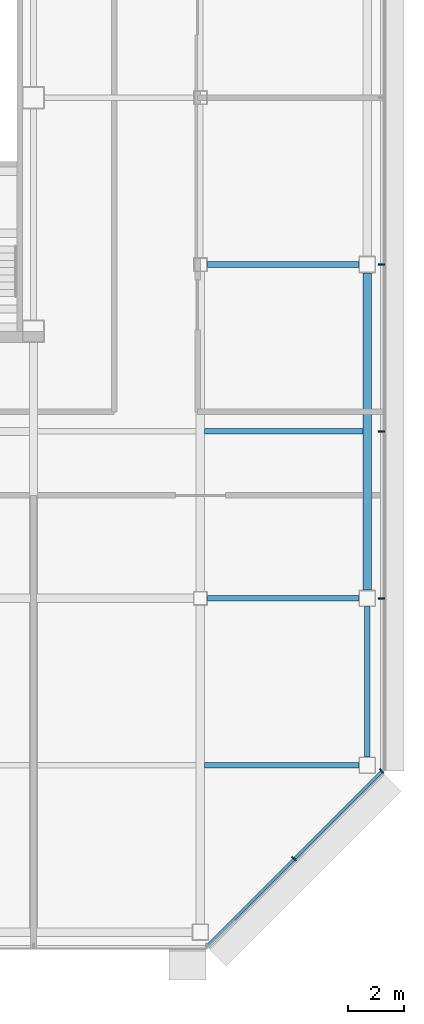
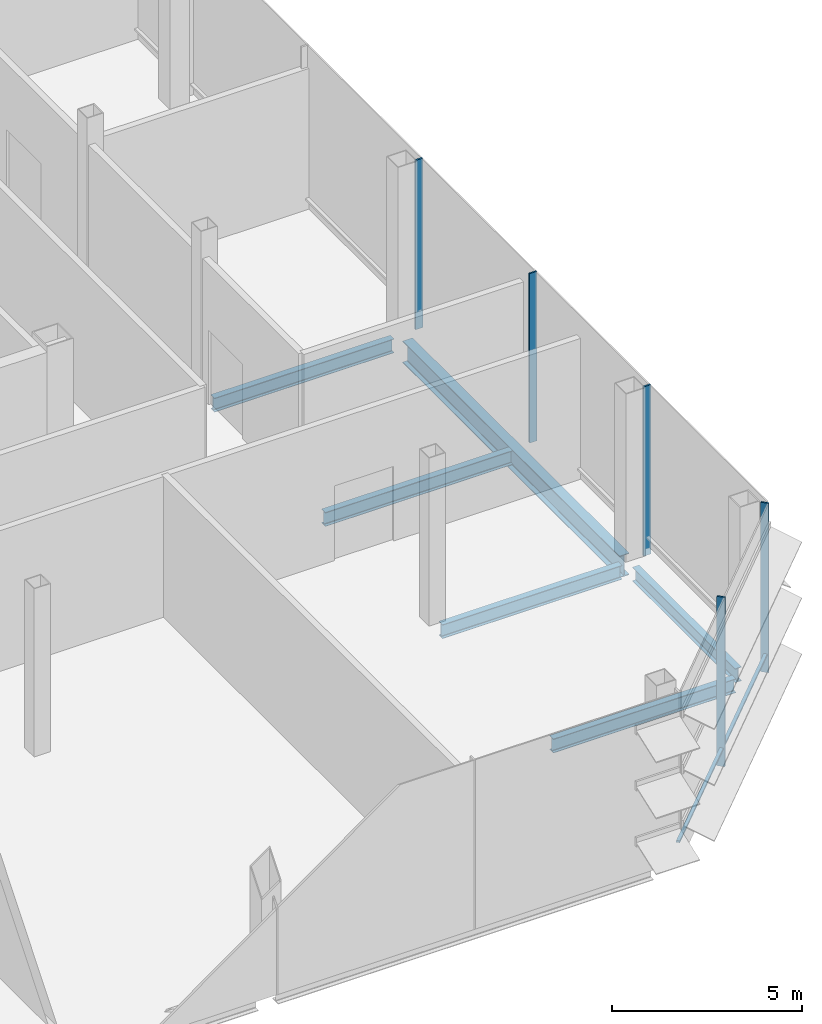
# One storey, part 15 of 26: 6 beams, 6 members, 2 elements without a shape of their own.
"""IFC4 building model written with IfcOpenShell, lengths in metres."""

import ifcopenshell
import ifcopenshell.guid

model = None  # the IFC model being written
_history = None  # IfcOwnerHistory: only IFC2X3 demands one
_inside = {}  # id of a spatial element -> (the spatial element, [elements in it])
_under = {}  # id of a project, library or spatial element -> (it, [spatial elements below it])
_declared = {}  # id of a project -> (the project, [libraries it declares])
_typed = {}  # id of a type object -> (the type object, [elements of that type])
_made_of = {}  # id of a material, layer set ... -> (it, [elements and type objects made of it])


def new_model(schema):
    """Start an empty IFC model of exactly this schema.

    Asked for "IFC4X3", IfcOpenShell would pick the latest addendum, in which some entities
    have other attributes; the version numbers below select the first issue.
    IFC2X3 requires an IfcOwnerHistory on every rooted entity: one is made here for all.
    """
    global model, _history
    if schema == "IFC4X3":
        model = ifcopenshell.file(schema_version=(4, 3, 0, 0))
    else:
        model = ifcopenshell.file(schema=schema)
    _inside.clear()
    _under.clear()
    _declared.clear()
    _typed.clear()
    _made_of.clear()
    _history = None
    if model.schema == "IFC2X3":
        org = make("IfcOrganization", Name="unknown")
        user = make(
            "IfcPersonAndOrganization",
            ThePerson=make("IfcPerson", FamilyName="unknown"),
            TheOrganization=org,
        )
        app = make(
            "IfcApplication",
            ApplicationDeveloper=org,
            Version="unknown",
            ApplicationFullName="unknown",
            ApplicationIdentifier="unknown",
        )
        _history = make(
            "IfcOwnerHistory",
            OwningUser=user,
            OwningApplication=app,
            ChangeAction="ADDED",
            CreationDate=0,
        )
    return model


def make(cls, **values):
    """One entity of the class cls with the attributes given. An attribute that is None is left unset."""
    return model.create_entity(
        cls, **{name: value for name, value in values.items() if value is not None}
    )


def rooted(cls, **values):
    """An entity with a GlobalId (a new one), such as an element, a storey or a relation."""
    return make(cls, GlobalId=ifcopenshell.guid.new(), OwnerHistory=_history, **values)


def si_unit(unit_type, name, prefix=None):
    """IfcSIUnit, for example si_unit("LENGTHUNIT", "METRE", prefix="MILLI")."""
    return make("IfcSIUnit", UnitType=unit_type, Prefix=prefix, Name=name)


def assignment(units):
    """IfcUnitAssignment: the units of a project."""
    return None if units is None else make("IfcUnitAssignment", Units=units)


def point(xyz):
    """IfcCartesianPoint."""
    return None if xyz is None else make("IfcCartesianPoint", Coordinates=xyz)


def direction(xyz):
    """IfcDirection."""
    return None if xyz is None else make("IfcDirection", DirectionRatios=xyz)


def frame(location, z_axis=None, x_axis=None):
    """IfcAxis2Placement3D, a coordinate frame: its origin and axes. An axis left out is left unset."""
    return make(
        "IfcAxis2Placement3D",
        Location=point(location),
        Axis=direction(z_axis),
        RefDirection=direction(x_axis),
    )


def frame_2d(location, x_axis=None):
    """IfcAxis2Placement2D, a coordinate frame in the plane: its origin and x axis."""
    return make(
        "IfcAxis2Placement2D", Location=point(location), RefDirection=direction(x_axis)
    )


def origin():
    """The frame at (0, 0, 0) with its axes left unset."""
    return frame((0.0, 0.0, 0.0))


def origin_2d():
    """The frame at (0, 0) in the plane with its x axis left unset."""
    return frame_2d((0.0, 0.0))


def place(relative_to, where):
    """IfcLocalPlacement: puts the frame where relative to a parent placement (None: the world)."""
    return make(
        "IfcLocalPlacement", PlacementRelTo=relative_to, RelativePlacement=where
    )


def context(
    kind, dimensions, precision=None, world=None, true_north=None, identifier=None
):
    """IfcGeometricRepresentationContext, for example the 3D "Model" context."""
    return make(
        "IfcGeometricRepresentationContext",
        ContextIdentifier=identifier,
        ContextType=kind,
        CoordinateSpaceDimension=dimensions,
        Precision=precision,
        WorldCoordinateSystem=world,
        TrueNorth=true_north,
    )


def subcontext(parent, identifier, kind, view, scale=None):
    """IfcGeometricRepresentationSubContext, for example "Body" below "Model"."""
    return make(
        "IfcGeometricRepresentationSubContext",
        ContextIdentifier=identifier,
        ContextType=kind,
        ParentContext=parent,
        TargetScale=scale,
        TargetView=view,
    )


def project(units=None, contexts=None):
    """IfcProject with its units and contexts."""
    return rooted(
        "IfcProject",
        Name="project",
        RepresentationContexts=contexts,
        UnitsInContext=assignment(units),
    )


def spatial(cls, under=None, at=None, **own):
    """A site, building, storey or space (cls), placed at a placement, below another one or the project."""
    s = rooted(cls, ObjectPlacement=at, **own)
    if under is not None:
        _under.setdefault(under.id(), (under, []))[1].append(s)
    return s


def profile(cls, at=None, kind="AREA", **sizes):
    """A parametric profile (cls). Its sizes go by their IFC names, for example OverallWidth=200.0."""
    return make(cls, ProfileType=kind, Position=at, **sizes)


def rectangle(**sizes):
    """IfcRectangleProfileDef."""
    return profile("IfcRectangleProfileDef", **sizes)


def i_section(**sizes):
    """IfcIShapeProfileDef."""
    return profile("IfcIShapeProfileDef", **sizes)


def extrude(swept, where, along, depth):
    """IfcExtrudedAreaSolid: the profile swept, set in the frame where, extruded along a direction by depth."""
    return make(
        "IfcExtrudedAreaSolid",
        SweptArea=swept,
        Position=where,
        ExtrudedDirection=direction(along),
        Depth=depth,
    )


def shape(context_of_items, identifier, shape_type, items):
    """IfcShapeRepresentation: the items that make up one representation, for example the "Body"."""
    return make(
        "IfcShapeRepresentation",
        ContextOfItems=context_of_items,
        RepresentationIdentifier=identifier,
        RepresentationType=shape_type,
        Items=items,
    )


def material(Name=None, Category=None):
    """IfcMaterial."""
    return make("IfcMaterial", Name=Name, Category=Category)


def material_profile(
    of_material, cross_section, Name=None, Category=None, Priority=None
):
    """IfcMaterialProfile: a cross section and its material."""
    return make(
        "IfcMaterialProfile",
        Name=Name,
        Material=of_material,
        Profile=cross_section,
        Priority=Priority,
        Category=Category,
    )


def profile_set(profiles, Name=None, composite=None):
    """IfcMaterialProfileSet."""
    return make(
        "IfcMaterialProfileSet",
        Name=Name,
        MaterialProfiles=profiles,
        CompositeProfile=composite,
    )


def made_of(thing, what):
    """Note that an element or type object is made of a material, layer set ...; save() writes the relation."""
    if what is not None:
        _made_of.setdefault(what.id(), (what, []))[1].append(thing)
    return thing


def type_object(cls, material=None, **own):
    """A type object (cls), such as IfcWallType, which elements share."""
    return made_of(rooted(cls, **own), material)


def element(
    cls,
    number,
    at=None,
    inside=None,
    cuts=None,
    type_object=None,
    material=None,
    context=None,
    identifier="Body",
    shape_type=None,
    held_by="IfcProductDefinitionShape",
    body=None,
    shapes=None,
    **own,
):
    """One element of the class cls, such as IfcWall. Its Tag is "e" and its number.

    at: its placement. inside: the storey or other place that contains it. cuts: it is an
    opening in that element (IfcRelVoidsElement). A single representation is given by context,
    identifier, shape_type and body (its items); several are given by shapes. held_by: the class
    of the entity that holds the representations. save() writes the other relations.
    """
    e = rooted(cls, Tag="e%d" % number, ObjectPlacement=at, **own)
    if body is not None:
        shapes = [shape(context, identifier, shape_type, body)]
    if shapes is not None:
        e.Representation = make(held_by, Representations=shapes)
    if inside is not None:
        _inside.setdefault(inside.id(), (inside, []))[1].append(e)
    if cuts is not None:
        rooted(
            "IfcRelVoidsElement", RelatingBuildingElement=cuts, RelatedOpeningElement=e
        )
    if type_object is not None:
        _typed.setdefault(type_object.id(), (type_object, []))[1].append(e)
    return made_of(e, material)


def aggregate(whole, parts):
    """IfcRelAggregates: a whole, such as a stair, and the parts it consists of."""
    return rooted("IfcRelAggregates", RelatingObject=whole, RelatedObjects=parts)


def save(model, path):
    """Write the relations noted so far, then the file.

    IfcRelAggregates (storeys below a building ...), IfcRelContainedInSpatialStructure (elements
    in a storey), IfcRelDefinesByType, IfcRelAssociatesMaterial and IfcRelDeclares: one each for
    every whole, place, type object, material and project.
    """
    for whole, parts in _under.values():
        aggregate(whole, parts)
    for where, things in _inside.values():
        rooted(
            "IfcRelContainedInSpatialStructure",
            RelatedElements=things,
            RelatingStructure=where,
        )
    for kind, things in _typed.values():
        rooted("IfcRelDefinesByType", RelatedObjects=things, RelatingType=kind)
    for what, things in _made_of.values():
        rooted("IfcRelAssociatesMaterial", RelatedObjects=things, RelatingMaterial=what)
    for by, libraries in _declared.values():
        rooted("IfcRelDeclares", RelatingContext=by, RelatedDefinitions=libraries)
    model.write(path)


model = new_model("IFC4")

# Units and contexts
model_context = context("Model", 3, precision=1e-05, world=origin(), true_north=direction((0.0, 1.0)))
body_context = subcontext(model_context, "Body", "Model", "MODEL_VIEW")
ifc_project = project(units=[si_unit("LENGTHUNIT", "METRE"), si_unit("AREAUNIT", "SQUARE_METRE"), si_unit("VOLUMEUNIT", "CUBIC_METRE"), si_unit("PLANEANGLEUNIT", "RADIAN"), si_unit("MASSUNIT", "GRAM", prefix="KILO")], contexts=[model_context])

# Site, building, storey
site_placement = place(None, origin())
site = spatial("IfcSite", under=ifc_project, at=site_placement, CompositionType="ELEMENT")
building_placement = place(site_placement, origin())
building = spatial("IfcBuilding", under=site, at=building_placement, Name="Sorahane Residences", CompositionType="ELEMENT")
storey_placement = place(building_placement, frame((0.0, 0.0, 257.60009765625)))
storey = spatial("IfcBuildingStorey", under=building, at=storey_placement, Name="L61", CompositionType="ELEMENT", Elevation=257.60009765625)

# Curtain wall, members
ifc_material_1 = material(Name="Dark low-e glass and black anodised aluminium", Category="aluminium")
curtain_wall_type = type_object("IfcCurtainWallType", Name="Curtain wall CW-4 Sky floor frameless wall", PredefinedType="NOTDEFINED", material=ifc_material_1)
curtain_wall_1_placement = place(storey_placement, origin())
curtain_wall_1 = element("IfcCurtainWall", 1, at=curtain_wall_1_placement, inside=storey, type_object=curtain_wall_type, Name="CW-4 curtain wall L61 SE1", PredefinedType="NOTDEFINED")
ifc_material_2 = material(Name="Black anodised aluminium", Category="aluminium")
ifc_material_profile_1 = material_profile(ifc_material_2, rectangle(XDim=0.219970703125, YDim=0.050048828125, at=origin_2d()), Name="Curtain wall mullion CW-4 black anodised aluminium 50x220")
ifc_profile_set_1 = profile_set([ifc_material_profile_1], Name="Black anodised aluminium")
member_type_1 = type_object("IfcMemberType", Name="Curtain wall mullion CW-4 black anodised aluminium 50x220", PredefinedType="MULLION", material=ifc_profile_set_1)
member_1_placement = place(storey_placement, frame((51.360595703125, 2.639404296875, -0.22021484375), z_axis=(0.0, 0.0, 1.0), x_axis=(0.707106781187, -0.707106781187, 0.0)))
member_1 = element("IfcMember", 2, at=member_1_placement, type_object=member_type_1, Name="CW-4 mullion L61 SE1.2", PredefinedType="MULLION", context=body_context, shape_type="SweptSolid", body=[
    extrude(rectangle(XDim=0.219970703125, YDim=0.050048828125, at=origin_2d()), origin(), (0.0, 0.0, 1.0), 5.440185546875),
])
member_2_placement = place(storey_placement, frame((54.518798828125, 5.79736328125, -0.22021484375), z_axis=(0.0, 0.0, 1.0), x_axis=(0.707106781187, -0.707106781187, 0.0)))
member_2 = element("IfcMember", 3, at=member_2_placement, type_object=member_type_1, Name="CW-4 mullion L61 SE1.3", PredefinedType="MULLION", context=body_context, shape_type="SweptSolid", body=[
    extrude(rectangle(XDim=0.219970703125, YDim=0.050048828125, at=origin_2d()), origin(), (0.0, 0.0, 1.0), 5.440185546875),
])

curtain_wall_2_placement = place(storey_placement, origin())
curtain_wall_2 = element("IfcCurtainWall", 4, at=curtain_wall_2_placement, inside=storey, type_object=curtain_wall_type, Name="CW-4 curtain wall L61 E1", PredefinedType="NOTDEFINED")
member_3_placement = place(storey_placement, frame((54.510009765625, 12.0, -0.22021484375), z_axis=(0.0, 0.0, 1.0), x_axis=(1.0, 0.0, 0.0)))
member_3 = element("IfcMember", 5, at=member_3_placement, type_object=member_type_1, Name="CW-4 mullion L61 E1.2", PredefinedType="MULLION", context=body_context, shape_type="SweptSolid", body=[
    extrude(rectangle(XDim=0.219970703125, YDim=0.050048828125, at=origin_2d()), origin(), (0.0, 0.0, 1.0), 5.440185546875),
])
member_4_placement = place(storey_placement, frame((54.510009765625, 18.0, -0.22021484375), z_axis=(0.0, 0.0, 1.0), x_axis=(1.0, 0.0, 0.0)))
member_4 = element("IfcMember", 6, at=member_4_placement, type_object=member_type_1, Name="CW-4 mullion L61 E1.3", PredefinedType="MULLION", context=body_context, shape_type="SweptSolid", body=[
    extrude(rectangle(XDim=0.219970703125, YDim=0.050048828125, at=origin_2d()), origin(), (0.0, 0.0, 1.0), 5.440185546875),
])
member_5_placement = place(storey_placement, frame((54.510009765625, 24.0, -0.22021484375), z_axis=(0.0, 0.0, 1.0), x_axis=(1.0, 0.0, 0.0)))
member_5 = element("IfcMember", 7, at=member_5_placement, type_object=member_type_1, Name="CW-4 mullion L61 E1.4", PredefinedType="MULLION", context=body_context, shape_type="SweptSolid", body=[
    extrude(rectangle(XDim=0.219970703125, YDim=0.050048828125, at=origin_2d()), origin(), (0.0, 0.0, 1.0), 5.440185546875),
])
aggregate(curtain_wall_2, [member_3, member_4, member_5])

# Member
ifc_material_3 = material(Name="Black anodised aluminium", Category="aluminium")
ifc_material_profile_2 = material_profile(ifc_material_3, rectangle(XDim=0.10009765625, YDim=0.06005859375, at=origin_2d()), Name="Curtain wall transom CW-4 black anodised aluminium 60x100")
ifc_profile_set_2 = profile_set([ifc_material_profile_2], Name="Black anodised aluminium")
member_type_2 = type_object("IfcMemberType", Name="Curtain wall transom CW-4 black anodised aluminium 60x100", PredefinedType="USERDEFINED", material=ifc_profile_set_2)
member_6_placement = place(storey_placement, frame((48.234375, -0.51513671875, 0.349853515625), z_axis=(0.707106781187, 0.707106781187, 0.0), x_axis=(-0.707106781187, 0.707106781187, 0.0)))
member_6 = element("IfcMember", 8, at=member_6_placement, type_object=member_type_2, Name="CW-4 transom L61 SE1", ObjectType="TRANSOM", PredefinedType="USERDEFINED", context=body_context, shape_type="SweptSolid", body=[
    extrude(rectangle(XDim=0.10009765625, YDim=0.06005859375, at=origin_2d()), origin(), (0.0, 0.0, 1.0), 8.88232421875),
])

aggregate(curtain_wall_1, [member_1, member_2, member_6])

# Beams
ifc_material_4 = material(Name="Steel Q355B", Category="steel")
ifc_material_profile_3 = material_profile(ifc_material_4, i_section(OverallWidth=0.199951171875, OverallDepth=0.449951171875, WebThickness=0.009033203125, FlangeThickness=0.013916015625, FilletRadius=0.02001953125, at=origin_2d()), Name="HN 450x200x9x14")
ifc_profile_set_3 = profile_set([ifc_material_profile_3], Name="Steel Q355B")
beam_type_1 = type_object("IfcBeamType", Name="Steel floor beam HN 450x200x9x14 Q355B", PredefinedType="BEAM", material=ifc_profile_set_3)
for number, where, z_axis, x_axis, name in (
    (9, (48.25, 12.0, -0.445068359375), (1.0, 0.0, 0.0), (0.0, 1.0, 0.0), "Beam L61 010"),
    (10, (48.25, 24.0, -0.445068359375), (1.0, 0.0, 0.0), (0.0, 1.0, 0.0), "Beam L61 012"),
):
    element("IfcBeam", number, at=place(storey_placement, frame(where, z_axis=z_axis, x_axis=x_axis)), inside=storey, type_object=beam_type_1, Name=name, PredefinedType="BEAM", context=body_context, shape_type="SweptSolid", body=[
        extrude(i_section(OverallWidth=0.199951171875, OverallDepth=0.449951171875, WebThickness=0.009033203125, FlangeThickness=0.013916015625, FilletRadius=0.02001953125, at=origin_2d()), origin(), (0.0, 0.0, 1.0), 5.449951171875),
    ])
beam_1_placement = place(storey_placement, frame((54.0, 6.300048828125, -0.445068359375), z_axis=(0.0, 1.0, 0.0), x_axis=(-1.0, 0.0, 0.0)))
element("IfcBeam", 11, at=beam_1_placement, inside=storey, type_object=beam_type_1, Name="Beam L61 064", PredefinedType="BEAM", context=body_context, shape_type="SweptSolid", body=[
    extrude(i_section(OverallWidth=0.199951171875, OverallDepth=0.449951171875, WebThickness=0.009033203125, FlangeThickness=0.013916015625, FilletRadius=0.02001953125, at=origin_2d()), origin(), (0.0, 0.0, 1.0), 5.39990234375),
])
beam_2_placement = place(storey_placement, frame((48.14990234375, 6.0, -0.445068359375), z_axis=(1.0, 0.0, 0.0), x_axis=(0.0, 1.0, 0.0)))
element("IfcBeam", 12, at=beam_2_placement, inside=storey, type_object=beam_type_1, Name="Beam L61 077", PredefinedType="BEAM", context=body_context, shape_type="SweptSolid", body=[
    extrude(i_section(OverallWidth=0.199951171875, OverallDepth=0.449951171875, WebThickness=0.009033203125, FlangeThickness=0.013916015625, FilletRadius=0.02001953125, at=origin_2d()), origin(), (0.0, 0.0, 1.0), 5.550048828125),
])
beam_3_placement = place(storey_placement, frame((48.14990234375, 18.0, -0.445068359375), z_axis=(1.0, 0.0, 0.0), x_axis=(0.0, 1.0, 0.0)))
element("IfcBeam", 13, at=beam_3_placement, inside=storey, type_object=beam_type_1, Name="Beam L61 084", PredefinedType="BEAM", context=body_context, shape_type="SweptSolid", body=[
    extrude(i_section(OverallWidth=0.199951171875, OverallDepth=0.449951171875, WebThickness=0.009033203125, FlangeThickness=0.013916015625, FilletRadius=0.02001953125, at=origin_2d()), origin(), (0.0, 0.0, 1.0), 5.7001953125),
])
ifc_material_5 = material(Name="Steel Q355B", Category="steel")
ifc_material_profile_4 = material_profile(ifc_material_5, i_section(OverallWidth=0.300048828125, OverallDepth=0.699951171875, WebThickness=0.012939453125, FlangeThickness=0.02392578125, FilletRadius=0.028076171875, at=origin_2d()), Name="HN 700x300x13x24")
ifc_profile_set_4 = profile_set([ifc_material_profile_4], Name="Steel Q355B")
beam_type_2 = type_object("IfcBeamType", Name="Steel floor beam HN 700x300x13x24 Q355B", PredefinedType="BEAM", material=ifc_profile_set_4)
beam_4_placement = place(storey_placement, frame((54.0, 12.300048828125, -0.570068359375), z_axis=(0.0, 1.0, 0.0), x_axis=(-1.0, 0.0, 0.0)))
element("IfcBeam", 14, at=beam_4_placement, inside=storey, type_object=beam_type_2, Name="Beam L61 065", PredefinedType="BEAM", context=body_context, shape_type="SweptSolid", body=[
    extrude(i_section(OverallWidth=0.300048828125, OverallDepth=0.699951171875, WebThickness=0.012939453125, FlangeThickness=0.02392578125, FilletRadius=0.028076171875, at=origin_2d()), origin(), (0.0, 0.0, 1.0), 11.39990234375),
])

save(model, "model.ifc")
